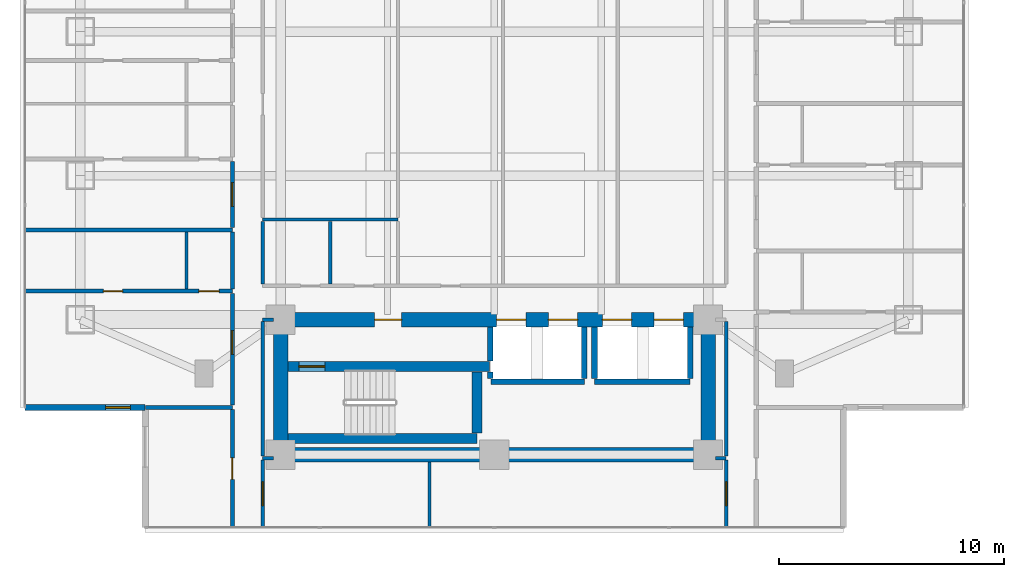
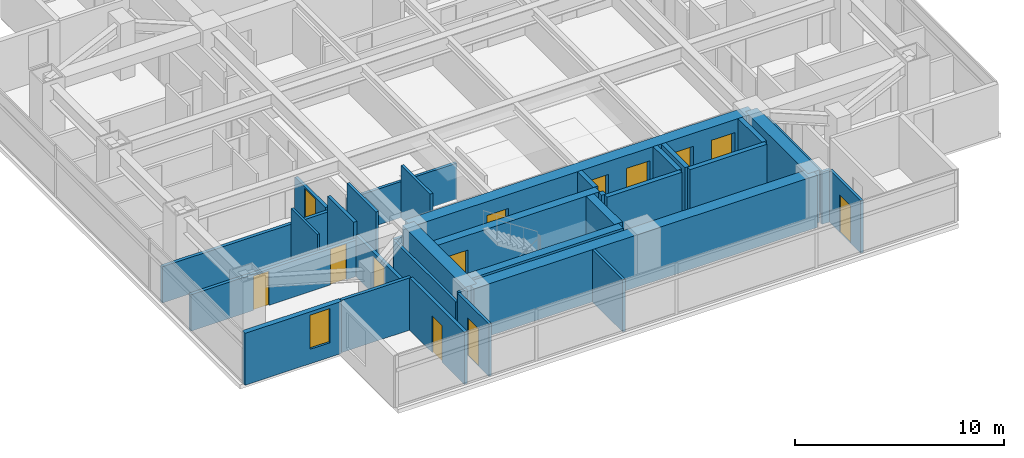
# One storey, part 13 of 27: 34 walls, 13 doors, 1 window, 14 openings.
"""IFC4 building model written with IfcOpenShell, lengths in metres."""

from ifc_helpers import new_model, si_unit, direction, frame, frame_2d, origin, place, context, subcontext, project, spatial, rectangle, extrude, material, layer, layer_set, type_object, element, fill, save


model = new_model("IFC4")

# Units and contexts
model_context = context("Model", 3, precision=1e-05, world=origin(), true_north=direction((0.0, 1.0)))
body_context = subcontext(model_context, "Body", "Model", "MODEL_VIEW")
ifc_project = project(units=[si_unit("LENGTHUNIT", "METRE"), si_unit("AREAUNIT", "SQUARE_METRE"), si_unit("VOLUMEUNIT", "CUBIC_METRE"), si_unit("PLANEANGLEUNIT", "RADIAN"), si_unit("MASSUNIT", "GRAM", prefix="KILO")], contexts=[model_context])

# Site, building, storey
site_placement = place(None, origin())
site = spatial("IfcSite", under=ifc_project, at=site_placement, CompositionType="ELEMENT")
building_placement = place(site_placement, origin())
building = spatial("IfcBuilding", under=site, at=building_placement, Name="Mirazonda Arch Towers", CompositionType="ELEMENT")
storey_placement = place(building_placement, frame((0.0, 0.0, 55.39990234375)))
storey = spatial("IfcBuildingStorey", under=building, at=storey_placement, Name="L15", CompositionType="ELEMENT", Elevation=55.39990234375)

# Wall
ifc_material_1 = material(Name="Concrete C50/60", Category="concrete")
ifc_layer_1 = layer(ifc_material_1, 0.449951171875, Name="WALL-CORE-450")
ifc_layer_set_1 = layer_set([ifc_layer_1], Name="Concrete C50/60")
wall_type_1 = type_object("IfcWallType", Name="WALL-CORE-450", PredefinedType="SHEAR", material=ifc_layer_set_1)
wall_1_placement = place(storey_placement, frame((11.320068359375, 13.1201171875, 0.0), z_axis=(0.0, 0.0, 1.0), x_axis=(1.0, 0.0, 0.0)))
element("IfcWall", 1, at=wall_1_placement, inside=storey, type_object=wall_type_1, Name="L15 Stair Core Shear Wall 003", PredefinedType="SHEAR", context=body_context, shape_type="SweptSolid", body=[
    extrude(rectangle(XDim=8.409912109375, YDim=0.449951171875, at=frame_2d((4.205078125, 0.0))), origin(), (0.0, 0.0, 1.0), 3.06005859375),
])

# Wall, opening, door
wall_2_placement = place(storey_placement, frame((11.320068359375, 16.320068359375, 0.0), z_axis=(0.0, 0.0, 1.0), x_axis=(1.0, 0.0, 0.0)))
wall_2 = element("IfcWall", 2, at=wall_2_placement, inside=storey, type_object=wall_type_1, Name="L15 Stair Core Shear Wall 008", PredefinedType="SHEAR", context=body_context, shape_type="SweptSolid", body=[
    extrude(rectangle(XDim=8.9599609375, YDim=0.449951171875, at=frame_2d((4.47998046875, 0.0))), origin(), (0.0, 0.0, 1.0), 3.06005859375),
])
opening_1_placement = place(wall_2_placement, frame((0.4951171875, 0.0, 0.0)))
opening_1 = element("IfcOpeningElement", 3, at=opening_1_placement, cuts=wall_2, Name="Opening DR-135", PredefinedType="OPENING", context=body_context, shape_type="SweptSolid", body=[
    extrude(rectangle(XDim=1.14990234375, YDim=2.199951171875, at=frame_2d((0.574951171875, 1.10009765625))), frame((0.0, 0.23486328125, 0.0), z_axis=(0.0, -1.0, 0.0), x_axis=(1.0, 0.0, 0.0)), (0.0, 0.0, 1.0), 0.469970703125),
])
ifc_material_2 = material(Name="Architectural Brushed Steel S355", Category="steel")
door_type_1 = type_object("IfcDoorType", Name="DOOR-STAIR-FD90-1150", OperationType="NOTDEFINED", PredefinedType="DOOR", material=ifc_material_2)
door_1_placement = place(opening_1_placement, origin())
door_1 = element("IfcDoor", 4, at=door_1_placement, inside=storey, type_object=door_type_1, Name="L15 Protected Exit Stair South Door", OperationType="SINGLE_SWING_LEFT", OverallHeight=2.199951171875, OverallWidth=1.14990234375, PredefinedType="DOOR", context=body_context, shape_type="SweptSolid", body=[
    extrude(rectangle(XDim=1.14990234375, YDim=2.199951171875, at=frame_2d((0.574951171875, 1.10009765625))), frame((0.0, 0.02490234375, 0.0), z_axis=(0.0, -1.0, 0.0), x_axis=(1.0, 0.0, 0.0)), (0.0, 0.0, 1.0), 0.050048828125),
])
fill(opening_1, door_1)

# Walls
wall_3_placement = place(storey_placement, frame((19.72998046875, 13.35498046875, 0.0), z_axis=(0.0, 0.0, 1.0), x_axis=(0.0, 1.0, 0.0)))
element("IfcWall", 5, at=wall_3_placement, inside=storey, type_object=wall_type_1, Name="L15 Stair Core Shear Wall 091", PredefinedType="SHEAR", context=body_context, shape_type="SweptSolid", body=[
    extrude(rectangle(XDim=2.72998046875, YDim=0.449951171875, at=frame_2d((1.364990234375, 0.0))), origin(), (0.0, 0.0, 1.0), 3.06005859375),
])
ifc_material_3 = material(Name="Concrete C60/75", Category="concrete")
ifc_layer_2 = layer(ifc_material_3, 0.64990234375, Name="WALL-CORE-650")
ifc_layer_set_2 = layer_set([ifc_layer_2], Name="Concrete C60/75")
wall_type_2 = type_object("IfcWallType", Name="WALL-CORE-650", PredefinedType="SHEAR", material=ifc_layer_set_2)
wall_4_placement = place(storey_placement, frame((11.0, 12.39990234375, 0.0), z_axis=(0.0, 0.0, 1.0), x_axis=(1.0, 0.0, 0.0)))
element("IfcWall", 6, at=wall_4_placement, inside=storey, type_object=wall_type_2, Name="L15 T1S-S Core Shear Wall", PredefinedType="SHEAR", context=body_context, shape_type="SweptSolid", body=[
    extrude(rectangle(XDim=19.0, YDim=0.64990234375, at=frame_2d((9.5, 0.0))), origin(), (0.0, 0.0, 1.0), 3.06005859375),
])
for number, where, z_axis, x_axis, name in (
    (7, (11.0, 12.39990234375, 0.0), (0.0, 0.0, 1.0), (0.0, 1.0, 0.0), "L15 T1S-W Core Shear Wall"),
    (8, (30.0, 12.39990234375, 0.0), (0.0, 0.0, 1.0), (0.0, 1.0, 0.0), "L15 T1S-E Core Shear Wall"),
):
    element("IfcWall", number, at=place(storey_placement, frame(where, z_axis=z_axis, x_axis=x_axis)), inside=storey, type_object=wall_type_2, Name=name, PredefinedType="SHEAR", context=body_context, shape_type="SweptSolid", body=[
        extrude(rectangle(XDim=6.0, YDim=0.64990234375, at=frame_2d((3.0, 0.0))), origin(), (0.0, 0.0, 1.0), 3.06005859375),
    ])

# Wall, openings, doors
wall_5_placement = place(storey_placement, frame((11.0, 18.39990234375, 0.0), z_axis=(0.0, 0.0, 1.0), x_axis=(1.0, 0.0, 0.0)))
wall_5 = element("IfcWall", 9, at=wall_5_placement, inside=storey, type_object=wall_type_2, Name="L15 T1S-N Core Shear Wall", PredefinedType="SHEAR", context=body_context, shape_type="SweptSolid", body=[
    extrude(rectangle(XDim=19.0, YDim=0.64990234375, at=frame_2d((9.5, 0.0))), origin(), (0.0, 0.0, 1.0), 3.06005859375),
])
opening_2_placement = place(wall_5_placement, frame((4.175048828125, 0.0, 0.0)))
opening_2 = element("IfcOpeningElement", 10, at=opening_2_placement, cuts=wall_5, Name="Opening DR-117", PredefinedType="OPENING", context=body_context, shape_type="SweptSolid", body=[
    extrude(rectangle(XDim=1.199951171875, YDim=2.25, at=frame_2d((0.60009765625, 1.125))), frame((0.0, 0.3349609375, 0.0), z_axis=(0.0, -1.0, 0.0), x_axis=(1.0, 0.0, 0.0)), (0.0, 0.0, 1.0), 0.669921875),
])
opening_3_placement = place(wall_5_placement, frame((9.60009765625, 0.0, 0.0)))
opening_3 = element("IfcOpeningElement", 11, at=opening_3_placement, cuts=wall_5, Name="Opening LD-111", PredefinedType="OPENING", context=body_context, shape_type="SweptSolid", body=[
    extrude(rectangle(XDim=1.300048828125, YDim=2.300048828125, at=frame_2d((0.64990234375, 1.14990234375))), frame((0.0, 0.3349609375, 0.0), z_axis=(0.0, -1.0, 0.0), x_axis=(1.0, 0.0, 0.0)), (0.0, 0.0, 1.0), 0.669921875),
])
opening_4_placement = place(wall_5_placement, frame((11.89990234375, 0.0, 0.0)))
opening_4 = element("IfcOpeningElement", 12, at=opening_4_placement, cuts=wall_5, Name="Opening LD-111", PredefinedType="OPENING", context=body_context, shape_type="SweptSolid", body=[
    extrude(rectangle(XDim=1.300048828125, YDim=2.300048828125, at=frame_2d((0.64990234375, 1.14990234375))), frame((0.0, 0.3349609375, 0.0), z_axis=(0.0, -1.0, 0.0), x_axis=(1.0, 0.0, 0.0)), (0.0, 0.0, 1.0), 0.669921875),
])
opening_5_placement = place(wall_5_placement, frame((14.300048828125, 0.0, 0.0)))
opening_5 = element("IfcOpeningElement", 13, at=opening_5_placement, cuts=wall_5, Name="Opening LD-111", PredefinedType="OPENING", context=body_context, shape_type="SweptSolid", body=[
    extrude(rectangle(XDim=1.300048828125, YDim=2.300048828125, at=frame_2d((0.64990234375, 1.14990234375))), frame((0.0, 0.3349609375, 0.0), z_axis=(0.0, -1.0, 0.0), x_axis=(1.0, 0.0, 0.0)), (0.0, 0.0, 1.0), 0.669921875),
])
opening_6_placement = place(wall_5_placement, frame((16.60009765625, 0.0, 0.0)))
opening_6 = element("IfcOpeningElement", 14, at=opening_6_placement, cuts=wall_5, Name="Opening LD-111", PredefinedType="OPENING", context=body_context, shape_type="SweptSolid", body=[
    extrude(rectangle(XDim=1.300048828125, YDim=2.300048828125, at=frame_2d((0.64990234375, 1.14990234375))), frame((0.0, 0.3349609375, 0.0), z_axis=(0.0, -1.0, 0.0), x_axis=(1.0, 0.0, 0.0)), (0.0, 0.0, 1.0), 0.669921875),
])
door_type_2 = type_object("IfcDoorType", Name="DOOR-FFL-FD90-1200", OperationType="NOTDEFINED", PredefinedType="DOOR", material=ifc_material_2)
door_2_placement = place(opening_2_placement, origin())
door_2 = element("IfcDoor", 15, at=door_2_placement, inside=storey, type_object=door_type_2, Name="L15 South Core Stair & Lift Lobby Door", OperationType="SINGLE_SWING_RIGHT", OverallHeight=2.25, OverallWidth=1.199951171875, PredefinedType="DOOR", context=body_context, shape_type="SweptSolid", body=[
    extrude(rectangle(XDim=1.199951171875, YDim=2.25, at=frame_2d((0.60009765625, 1.125))), frame((0.0, 0.02490234375, 0.0), z_axis=(0.0, -1.0, 0.0), x_axis=(1.0, 0.0, 0.0)), (0.0, 0.0, 1.0), 0.050048828125),
])
fill(opening_2, door_2)
door_type_3 = type_object("IfcDoorType", Name="DOOR-LIFT-LAND-1300", OperationType="NOTDEFINED", PredefinedType="DOOR", material=ifc_material_2)
door_3_placement = place(opening_3_placement, origin())
door_3 = element("IfcDoor", 16, at=door_3_placement, inside=storey, type_object=door_type_3, Name="L15 Lift Landing Sliding Door PL-T1M1", OperationType="DOUBLE_DOOR_SLIDING", OverallHeight=2.300048828125, OverallWidth=1.300048828125, PredefinedType="DOOR", context=body_context, shape_type="SweptSolid", body=[
    extrude(rectangle(XDim=1.300048828125, YDim=2.300048828125, at=frame_2d((0.64990234375, 1.14990234375))), frame((0.0, 0.02490234375, 0.0), z_axis=(0.0, -1.0, 0.0), x_axis=(1.0, 0.0, 0.0)), (0.0, 0.0, 1.0), 0.050048828125),
])
fill(opening_3, door_3)
door_4_placement = place(opening_4_placement, origin())
door_4 = element("IfcDoor", 17, at=door_4_placement, inside=storey, type_object=door_type_3, Name="L15 Lift Landing Sliding Door PL-T1M2", OperationType="DOUBLE_DOOR_SLIDING", OverallHeight=2.300048828125, OverallWidth=1.300048828125, PredefinedType="DOOR", context=body_context, shape_type="SweptSolid", body=[
    extrude(rectangle(XDim=1.300048828125, YDim=2.300048828125, at=frame_2d((0.64990234375, 1.14990234375))), frame((0.0, 0.02490234375, 0.0), z_axis=(0.0, -1.0, 0.0), x_axis=(1.0, 0.0, 0.0)), (0.0, 0.0, 1.0), 0.050048828125),
])
fill(opening_4, door_4)
door_5_placement = place(opening_5_placement, origin())
door_5 = element("IfcDoor", 18, at=door_5_placement, inside=storey, type_object=door_type_3, Name="L15 Lift Landing Sliding Door PL-T1H1", OperationType="DOUBLE_DOOR_SLIDING", OverallHeight=2.300048828125, OverallWidth=1.300048828125, PredefinedType="DOOR", context=body_context, shape_type="SweptSolid", body=[
    extrude(rectangle(XDim=1.300048828125, YDim=2.300048828125, at=frame_2d((0.64990234375, 1.14990234375))), frame((0.0, 0.02490234375, 0.0), z_axis=(0.0, -1.0, 0.0), x_axis=(1.0, 0.0, 0.0)), (0.0, 0.0, 1.0), 0.050048828125),
])
fill(opening_5, door_5)
door_6_placement = place(opening_6_placement, origin())
door_6 = element("IfcDoor", 19, at=door_6_placement, inside=storey, type_object=door_type_3, Name="L15 Lift Landing Sliding Door PL-T1H2", OperationType="DOUBLE_DOOR_SLIDING", OverallHeight=2.300048828125, OverallWidth=1.300048828125, PredefinedType="DOOR", context=body_context, shape_type="SweptSolid", body=[
    extrude(rectangle(XDim=1.300048828125, YDim=2.300048828125, at=frame_2d((0.64990234375, 1.14990234375))), frame((0.0, 0.02490234375, 0.0), z_axis=(0.0, -1.0, 0.0), x_axis=(1.0, 0.0, 0.0)), (0.0, 0.0, 1.0), 0.050048828125),
])
fill(opening_6, door_6)

# Wall, opening, window
ifc_material_4 = material(Name="Precast Concrete C40/50", Category="concrete")
ifc_layer_3 = layer(ifc_material_4, 0.280029296875, Name="WALL-EXT-WALL-280")
ifc_layer_set_3 = layer_set([ifc_layer_3], Name="Precast Concrete C40/50")
wall_type_3 = type_object("IfcWallType", Name="WALL-EXT-WALL-280", PredefinedType="SOLIDWALL", material=ifc_layer_set_3)
wall_6_placement = place(storey_placement, frame((-0.360107421875, 14.501953125, 0.0), z_axis=(0.0, 0.0, 1.0), x_axis=(1.0, 0.0, 0.0)))
wall_6 = element("IfcWall", 20, at=wall_6_placement, inside=storey, type_object=wall_type_3, Name="L15 T1 Corner Notch Return Wall WL-L15-T1-CSW2", PredefinedType="SOLIDWALL", context=body_context, shape_type="SweptSolid", body=[
    extrude(rectangle(XDim=5.340087890625, YDim=0.280029296875, at=frame_2d((2.669921875, 0.0))), origin(), (0.0, 0.0, 1.0), 3.0400390625),
])
opening_7_placement = place(wall_6_placement, frame((3.590087890625, 0.0, 0.85009765625)))
opening_7 = element("IfcOpeningElement", 21, at=opening_7_placement, cuts=wall_6, Name="Opening WN-108", PredefinedType="OPENING", context=body_context, shape_type="SweptSolid", body=[
    extrude(rectangle(XDim=1.10009765625, YDim=2.0, at=frame_2d((0.550048828125, 1.0))), frame((0.0, 0.14990234375, 0.0), z_axis=(0.0, -1.0, 0.0), x_axis=(1.0, 0.0, 0.0)), (0.0, 0.0, 1.0), 0.300048828125),
])
ifc_material_5 = material(Name="Insulated Low-E Solar Glass", Category="glass")
window_type = type_object("IfcWindowType", Name="WIN-NOTCH-1100x2000", PartitioningType="SINGLE_PANEL", PredefinedType="WINDOW", material=ifc_material_5)
window_placement = place(opening_7_placement, origin())
window = element("IfcWindow", 22, at=window_placement, inside=storey, type_object=window_type, Name="L15 Punched Facade Window WN-L15-T1-CSW2", OverallHeight=2.0, OverallWidth=1.10009765625, PartitioningType="SINGLE_PANEL", PredefinedType="WINDOW", context=body_context, shape_type="SweptSolid", body=[
    extrude(rectangle(XDim=1.10009765625, YDim=2.0, at=frame_2d((0.550048828125, 1.0))), frame((0.0, 0.030029296875, 0.0), z_axis=(0.0, -1.0, 0.0), x_axis=(1.0, 0.0, 0.0)), (0.0, 0.0, 1.0), 0.06005859375),
])
fill(opening_7, window)

# Walls
ifc_material_6 = material(Name="Fire-Rated Gypsum Stud Partition")
ifc_layer_4 = layer(ifc_material_6, 0.14990234375, Name="WALL-PART-CORR-150")
ifc_layer_set_4 = layer_set([ifc_layer_4], Name="Fire-Rated Gypsum Stud Partition")
wall_type_4 = type_object("IfcWallType", Name="WALL-PART-CORR-150", PredefinedType="PARTITIONING", material=ifc_layer_set_4)
for number, where, z_axis, x_axis, name in (
    (23, (10.199951171875, 12.25, 0.0), (0.0, 0.0, 1.0), (1.0, 0.0, 0.0), "L15 Interior Partition 001"),
    (24, (30.320068359375, 12.25, 0.0), (0.0, 0.0, 1.0), (1.0, 0.0, 0.0), "L15 Interior Partition 002"),
):
    element("IfcWall", number, at=place(storey_placement, frame(where, z_axis=z_axis, x_axis=x_axis)), inside=storey, type_object=wall_type_4, Name=name, PredefinedType="PARTITIONING", context=body_context, shape_type="SweptSolid", body=[
        extrude(rectangle(XDim=0.47998046875, YDim=0.14990234375, at=frame_2d((0.239990234375, 0.0))), origin(), (0.0, 0.0, 1.0), 3.06005859375),
    ])
wall_7_placement = place(storey_placement, frame((10.199951171875, 18.39990234375, 0.0), z_axis=(0.0, 0.0, 1.0), x_axis=(1.0, 0.0, 0.0)))
element("IfcWall", 25, at=wall_7_placement, inside=storey, type_object=wall_type_4, Name="L15 Interior Partition 012", PredefinedType="PARTITIONING", context=body_context, shape_type="SweptSolid", body=[
    extrude(rectangle(XDim=0.47998046875, YDim=0.14990234375, at=frame_2d((0.239990234375, 0.0))), origin(), (0.0, 0.0, 1.0), 2.43603515625),
])
wall_8_placement = place(storey_placement, frame((10.199951171875, 22.85009765625, 0.0), z_axis=(0.0, 0.0, 1.0), x_axis=(1.0, 0.0, 0.0)))
element("IfcWall", 26, at=wall_8_placement, inside=storey, type_object=wall_type_4, Name="L15 Interior Partition 025", PredefinedType="PARTITIONING", context=body_context, shape_type="SweptSolid", body=[
    extrude(rectangle(XDim=6.02001953125, YDim=0.14990234375, at=frame_2d((3.010009765625, 0.0))), origin(), (0.0, 0.0, 1.0), 2.10400390625),
])

# Wall, opening, door
wall_9_placement = place(storey_placement, frame((10.199951171875, 9.162109375, 0.0), z_axis=(0.0, 0.0, 1.0), x_axis=(0.0, 1.0, 0.0)))
wall_9 = element("IfcWall", 27, at=wall_9_placement, inside=storey, type_object=wall_type_4, Name="L15 Interior Partition 079", PredefinedType="PARTITIONING", context=body_context, shape_type="SweptSolid", body=[
    extrude(rectangle(XDim=3.0029296875, YDim=0.14990234375, at=frame_2d((1.50146484375, 0.0))), origin(), (0.0, 0.0, 1.0), 3.06005859375),
])
opening_8_placement = place(wall_9_placement, frame((0.9765625, 0.0, 0.0)))
opening_8 = element("IfcOpeningElement", 28, at=opening_8_placement, cuts=wall_9, Name="Opening DR-121", PredefinedType="OPENING", context=body_context, shape_type="SweptSolid", body=[
    extrude(rectangle(XDim=1.050048828125, YDim=2.199951171875, at=frame_2d((0.52490234375, 1.10009765625))), frame((0.0, 0.0849609375, 0.0), z_axis=(0.0, -1.0, 0.0), x_axis=(1.0, 0.0, 0.0)), (0.0, 0.0, 1.0), 0.169921875),
])
door_type_4 = type_object("IfcDoorType", Name="DOOR-SUITE-FD60-1050", OperationType="NOTDEFINED", PredefinedType="DOOR", material=ifc_material_2)
door_7_placement = place(opening_8_placement, origin())
door_7 = element("IfcDoor", 29, at=door_7_placement, inside=storey, type_object=door_type_4, Name="L15 South Horizon Lounge Minor Door", OperationType="SINGLE_SWING_RIGHT", OverallHeight=2.199951171875, OverallWidth=1.050048828125, PredefinedType="DOOR", context=body_context, shape_type="SweptSolid", body=[
    extrude(rectangle(XDim=1.050048828125, YDim=2.199951171875, at=frame_2d((0.52490234375, 1.10009765625))), frame((0.0, 0.02490234375, 0.0), z_axis=(0.0, -1.0, 0.0), x_axis=(1.0, 0.0, 0.0)), (0.0, 0.0, 1.0), 0.050048828125),
])
fill(opening_8, door_7)

# Walls
wall_10_placement = place(storey_placement, frame((10.199951171875, 12.3349609375, 0.0), z_axis=(0.0, 0.0, 1.0), x_axis=(0.0, 1.0, 0.0)))
element("IfcWall", 30, at=wall_10_placement, inside=storey, type_object=wall_type_4, Name="L15 Interior Partition 080", PredefinedType="PARTITIONING", context=body_context, shape_type="SweptSolid", body=[
    extrude(rectangle(XDim=5.97998046875, YDim=0.14990234375, at=frame_2d((2.989990234375, 0.0))), origin(), (0.0, 0.0, 1.0), 2.43603515625),
])
for number, where, z_axis, x_axis, name in (
    (31, (10.206787109375, 19.985107421875, 0.0), (0.0, 0.0, 1.0), (0.0, 1.0, 0.0), "L15 Interior Partition 081"),
    (32, (13.199951171875, 19.985107421875, 0.0), (0.0, 0.0, 1.0), (0.0, 1.0, 0.0), "L15 Interior Partition 086"),
):
    element("IfcWall", number, at=place(storey_placement, frame(where, z_axis=z_axis, x_axis=x_axis)), inside=storey, type_object=wall_type_4, Name=name, PredefinedType="PARTITIONING", context=body_context, shape_type="SweptSolid", body=[
        extrude(rectangle(XDim=2.77978515625, YDim=0.14990234375, at=frame_2d((1.389892578125, 0.0))), origin(), (0.0, 0.0, 1.0), 3.06005859375),
    ])
wall_11_placement = place(storey_placement, frame((17.615966796875, 9.162109375, 0.0), z_axis=(0.0, 0.0, 1.0), x_axis=(0.0, 1.0, 0.0)))
element("IfcWall", 33, at=wall_11_placement, inside=storey, type_object=wall_type_4, Name="L15 Interior Partition 090", PredefinedType="PARTITIONING", context=body_context, shape_type="SweptSolid", body=[
    extrude(rectangle(XDim=2.91796875, YDim=0.14990234375, at=frame_2d((1.458984375, 0.0))), origin(), (0.0, 0.0, 1.0), 3.06005859375),
])

# Wall, opening, door
wall_12_placement = place(storey_placement, frame((30.800048828125, 9.162109375, 0.0), z_axis=(0.0, 0.0, 1.0), x_axis=(0.0, 1.0, 0.0)))
wall_12 = element("IfcWall", 34, at=wall_12_placement, inside=storey, type_object=wall_type_4, Name="L15 Interior Partition 106", PredefinedType="PARTITIONING", context=body_context, shape_type="SweptSolid", body=[
    extrude(rectangle(XDim=3.0029296875, YDim=0.14990234375, at=frame_2d((1.50146484375, 0.0))), origin(), (0.0, 0.0, 1.0), 3.06005859375),
])
opening_9_placement = place(wall_12_placement, frame((0.9765625, 0.0, 0.0)))
opening_9 = element("IfcOpeningElement", 35, at=opening_9_placement, cuts=wall_12, Name="Opening DR-121", PredefinedType="OPENING", context=body_context, shape_type="SweptSolid", body=[
    extrude(rectangle(XDim=1.050048828125, YDim=2.199951171875, at=frame_2d((0.52490234375, 1.10009765625))), frame((0.0, 0.0849609375, 0.0), z_axis=(0.0, -1.0, 0.0), x_axis=(1.0, 0.0, 0.0)), (0.0, 0.0, 1.0), 0.169921875),
])
door_8_placement = place(opening_9_placement, origin())
door_8 = element("IfcDoor", 36, at=door_8_placement, inside=storey, type_object=door_type_4, Name="L15 South Horizon Lounge Grand Door", OperationType="SINGLE_SWING_LEFT", OverallHeight=2.199951171875, OverallWidth=1.050048828125, PredefinedType="DOOR", context=body_context, shape_type="SweptSolid", body=[
    extrude(rectangle(XDim=1.050048828125, YDim=2.199951171875, at=frame_2d((0.52490234375, 1.10009765625))), frame((0.0, 0.02490234375, 0.0), z_axis=(0.0, -1.0, 0.0), x_axis=(1.0, 0.0, 0.0)), (0.0, 0.0, 1.0), 0.050048828125),
])
fill(opening_9, door_8)

# Walls
wall_13_placement = place(storey_placement, frame((30.800048828125, 12.3349609375, 0.0), z_axis=(0.0, 0.0, 1.0), x_axis=(0.0, 1.0, 0.0)))
element("IfcWall", 37, at=wall_13_placement, inside=storey, type_object=wall_type_4, Name="L15 Interior Partition 107", PredefinedType="PARTITIONING", context=body_context, shape_type="SweptSolid", body=[
    extrude(rectangle(XDim=5.97998046875, YDim=0.14990234375, at=frame_2d((2.989990234375, 0.0))), origin(), (0.0, 0.0, 1.0), 2.43603515625),
])
ifc_material_7 = material(Name="Fire-Rated Gypsum Twin-Stud Assembly")
ifc_layer_5 = layer(ifc_material_7, 0.179931640625, Name="WALL-PART-DEMISE-180")
ifc_layer_set_5 = layer_set([ifc_layer_5], Name="Fire-Rated Gypsum Twin-Stud Assembly")
wall_type_5 = type_object("IfcWallType", Name="WALL-PART-DEMISE-180", PredefinedType="PARTITIONING", material=ifc_layer_set_5)
wall_14_placement = place(storey_placement, frame((5.0, 14.501953125, 0.0), z_axis=(0.0, 0.0, 1.0), x_axis=(1.0, 0.0, 0.0)))
element("IfcWall", 38, at=wall_14_placement, inside=storey, type_object=wall_type_5, Name="L15 Interior Partition 004", PredefinedType="PARTITIONING", context=body_context, shape_type="SweptSolid", body=[
    extrude(rectangle(XDim=3.860107421875, YDim=0.179931640625, at=frame_2d((1.93017578125, 0.0))), origin(), (0.0, 0.0, 1.0), 3.06005859375),
])

# Wall, openings, doors
wall_15_placement = place(storey_placement, frame((-0.360107421875, 19.6708984375, 0.0), z_axis=(0.0, 0.0, 1.0), x_axis=(1.0, 0.0, 0.0)))
wall_15 = element("IfcWall", 39, at=wall_15_placement, inside=storey, type_object=wall_type_5, Name="L15 Interior Partition 016", PredefinedType="PARTITIONING", context=body_context, shape_type="SweptSolid", body=[
    extrude(rectangle(XDim=9.22021484375, YDim=0.179931640625, at=frame_2d((4.610107421875, 0.0))), origin(), (0.0, 0.0, 1.0), 2.125),
])
opening_10_placement = place(wall_15_placement, frame((3.485107421875, 0.0, 0.0)))
opening_10 = element("IfcOpeningElement", 40, at=opening_10_placement, cuts=wall_15, Name="Opening DR-128", PredefinedType="OPENING", context=body_context, shape_type="SweptSolid", body=[
    extrude(rectangle(XDim=0.85009765625, YDim=2.010009765625, at=frame_2d((0.425048828125, 1.0048828125))), frame((0.0, 0.099853515625, 0.0), z_axis=(0.0, -1.0, 0.0), x_axis=(1.0, 0.0, 0.0)), (0.0, 0.0, 1.0), 0.199951171875),
])
opening_11_placement = place(wall_15_placement, frame((7.72998046875, 0.0, 0.0)))
opening_11 = element("IfcOpeningElement", 41, at=opening_11_placement, cuts=wall_15, Name="Opening DR-120", PredefinedType="OPENING", context=body_context, shape_type="SweptSolid", body=[
    extrude(rectangle(XDim=0.89990234375, YDim=2.10009765625, at=frame_2d((0.449951171875, 1.050048828125))), frame((0.0, 0.099853515625, 0.0), z_axis=(0.0, -1.0, 0.0), x_axis=(1.0, 0.0, 0.0)), (0.0, 0.0, 1.0), 0.199951171875),
])
door_type_5 = type_object("IfcDoorType", Name="DOOR-RISER-FD60-850", OperationType="NOTDEFINED", PredefinedType="DOOR", material=ifc_material_2)
door_9_placement = place(opening_10_placement, origin())
door_9 = element("IfcDoor", 42, at=door_9_placement, inside=storey, type_object=door_type_5, Name="L15 Guestroom Study 1 Door", OperationType="SINGLE_SWING_RIGHT", OverallHeight=2.010009765625, OverallWidth=0.85009765625, PredefinedType="DOOR", context=body_context, shape_type="SweptSolid", body=[
    extrude(rectangle(XDim=0.85009765625, YDim=2.010009765625, at=frame_2d((0.425048828125, 1.0048828125))), frame((0.0, 0.02490234375, 0.0), z_axis=(0.0, -1.0, 0.0), x_axis=(1.0, 0.0, 0.0)), (0.0, 0.0, 1.0), 0.050048828125),
])
fill(opening_10, door_9)
door_type_6 = type_object("IfcDoorType", Name="DOOR-WC-900", OperationType="NOTDEFINED", PredefinedType="DOOR", material=ifc_material_2)
door_10_placement = place(opening_11_placement, origin())
door_10 = element("IfcDoor", 43, at=door_10_placement, inside=storey, type_object=door_type_6, Name="L15 En-Suite Bathroom 1 Door", OperationType="SINGLE_SWING_LEFT", OverallHeight=2.10009765625, OverallWidth=0.89990234375, PredefinedType="DOOR", context=body_context, shape_type="SweptSolid", body=[
    extrude(rectangle(XDim=0.89990234375, YDim=2.10009765625, at=frame_2d((0.449951171875, 1.050048828125))), frame((0.0, 0.02490234375, 0.0), z_axis=(0.0, -1.0, 0.0), x_axis=(1.0, 0.0, 0.0)), (0.0, 0.0, 1.0), 0.050048828125),
])
fill(opening_11, door_10)

# Wall
wall_16_placement = place(storey_placement, frame((-0.360107421875, 22.39111328125, 0.0), z_axis=(0.0, 0.0, 1.0), x_axis=(1.0, 0.0, 0.0)))
element("IfcWall", 44, at=wall_16_placement, inside=storey, type_object=wall_type_5, Name="L15 Interior Partition 023", PredefinedType="PARTITIONING", context=body_context, shape_type="SweptSolid", body=[
    extrude(rectangle(XDim=9.22021484375, YDim=0.179931640625, at=frame_2d((4.610107421875, 0.0))), origin(), (0.0, 0.0, 1.0), 2.125),
])

# Wall, opening, door
wall_17_placement = place(storey_placement, frame((8.860107421875, 9.162109375, 0.0), z_axis=(0.0, 0.0, 1.0), x_axis=(0.0, 1.0, 0.0)))
wall_17 = element("IfcWall", 45, at=wall_17_placement, inside=storey, type_object=wall_type_5, Name="L15 Interior Partition 069", PredefinedType="PARTITIONING", context=body_context, shape_type="SweptSolid", body=[
    extrude(rectangle(XDim=5.239990234375, YDim=0.179931640625, at=frame_2d((2.6201171875, 0.0))), origin(), (0.0, 0.0, 1.0), 3.06005859375),
])
opening_12_placement = place(wall_17_placement, frame((2.14501953125, 0.0, 0.0)))
opening_12 = element("IfcOpeningElement", 46, at=opening_12_placement, cuts=wall_17, Name="Opening DR-104", PredefinedType="OPENING", context=body_context, shape_type="SweptSolid", body=[
    extrude(rectangle(XDim=0.949951171875, YDim=2.14990234375, at=frame_2d((0.47509765625, 1.074951171875))), frame((0.0, 0.099853515625, 0.0), z_axis=(0.0, -1.0, 0.0), x_axis=(1.0, 0.0, 0.0)), (0.0, 0.0, 1.0), 0.199951171875),
])
door_type_7 = type_object("IfcDoorType", Name="DOOR-ROOM-950", OperationType="NOTDEFINED", PredefinedType="DOOR", material=ifc_material_2)
door_11_placement = place(opening_12_placement, origin())
door_11 = element("IfcDoor", 47, at=door_11_placement, inside=storey, type_object=door_type_7, Name="L15 South Horizon Lounge Alcove West Door", OperationType="SINGLE_SWING_RIGHT", OverallHeight=2.14990234375, OverallWidth=0.949951171875, PredefinedType="DOOR", context=body_context, shape_type="SweptSolid", body=[
    extrude(rectangle(XDim=0.949951171875, YDim=2.14990234375, at=frame_2d((0.47509765625, 1.074951171875))), frame((0.0, 0.02490234375, 0.0), z_axis=(0.0, -1.0, 0.0), x_axis=(1.0, 0.0, 0.0)), (0.0, 0.0, 1.0), 0.050048828125),
])
fill(opening_12, door_11)

wall_18_placement = place(storey_placement, frame((8.860107421875, 14.60205078125, 0.0), z_axis=(0.0, 0.0, 1.0), x_axis=(0.0, 1.0, 0.0)))
wall_18 = element("IfcWall", 48, at=wall_18_placement, inside=storey, type_object=wall_type_5, Name="L15 Interior Partition 070", PredefinedType="PARTITIONING", context=body_context, shape_type="SweptSolid", body=[
    extrude(rectangle(XDim=4.968994140625, YDim=0.179931640625, at=frame_2d((2.484375, 0.0))), origin(), (0.0, 0.0, 1.0), 2.43603515625),
])
opening_13_placement = place(wall_18_placement, frame((2.259521484375, 0.0, 0.0)))
opening_13 = element("IfcOpeningElement", 49, at=opening_13_placement, cuts=wall_18, Name="Opening DR-121", PredefinedType="OPENING", context=body_context, shape_type="SweptSolid", body=[
    extrude(rectangle(XDim=1.050048828125, YDim=2.199951171875, at=frame_2d((0.52490234375, 1.10009765625))), frame((0.0, 0.099853515625, 0.0), z_axis=(0.0, -1.0, 0.0), x_axis=(1.0, 0.0, 0.0)), (0.0, 0.0, 1.0), 0.199951171875),
])
door_12_placement = place(opening_13_placement, origin())
door_12 = element("IfcDoor", 50, at=door_12_placement, inside=storey, type_object=door_type_4, Name="L15 King Hotel Guestroom 1 Door", OperationType="SINGLE_SWING_LEFT", OverallHeight=2.199951171875, OverallWidth=1.050048828125, PredefinedType="DOOR", context=body_context, shape_type="SweptSolid", body=[
    extrude(rectangle(XDim=1.050048828125, YDim=2.199951171875, at=frame_2d((0.52490234375, 1.10009765625))), frame((0.0, 0.02490234375, 0.0), z_axis=(0.0, -1.0, 0.0), x_axis=(1.0, 0.0, 0.0)), (0.0, 0.0, 1.0), 0.050048828125),
])
fill(opening_13, door_12)

# Wall
wall_19_placement = place(storey_placement, frame((8.860107421875, 19.77099609375, 0.0), z_axis=(0.0, 0.0, 1.0), x_axis=(0.0, 1.0, 0.0)))
element("IfcWall", 51, at=wall_19_placement, inside=storey, type_object=wall_type_5, Name="L15 Interior Partition 071", PredefinedType="PARTITIONING", context=body_context, shape_type="SweptSolid", body=[
    extrude(rectangle(XDim=2.52001953125, YDim=0.179931640625, at=frame_2d((1.260009765625, 0.0))), origin(), (0.0, 0.0, 1.0), 3.06005859375),
])

# Wall, opening, door
wall_20_placement = place(storey_placement, frame((8.860107421875, 22.490966796875, 0.0), z_axis=(0.0, 0.0, 1.0), x_axis=(0.0, 1.0, 0.0)))
wall_20 = element("IfcWall", 52, at=wall_20_placement, inside=storey, type_object=wall_type_5, Name="L15 Interior Partition 072", PredefinedType="PARTITIONING", context=body_context, shape_type="SweptSolid", body=[
    extrude(rectangle(XDim=2.93994140625, YDim=0.179931640625, at=frame_2d((1.469970703125, 0.0))), origin(), (0.0, 0.0, 1.0), 2.279052734375),
])
opening_14_placement = place(wall_20_placement, frame((0.945068359375, 0.0, 0.0)))
opening_14 = element("IfcOpeningElement", 53, at=opening_14_placement, cuts=wall_20, Name="Opening DR-121", PredefinedType="OPENING", context=body_context, shape_type="SweptSolid", body=[
    extrude(rectangle(XDim=1.050048828125, YDim=2.199951171875, at=frame_2d((0.52490234375, 1.10009765625))), frame((0.0, 0.099853515625, 0.0), z_axis=(0.0, -1.0, 0.0), x_axis=(1.0, 0.0, 0.0)), (0.0, 0.0, 1.0), 0.199951171875),
])
door_13_placement = place(opening_14_placement, origin())
door_13 = element("IfcDoor", 54, at=door_13_placement, inside=storey, type_object=door_type_4, Name="L15 Twin Hotel Guestroom 2 Door", OperationType="SINGLE_SWING_RIGHT", OverallHeight=2.199951171875, OverallWidth=1.050048828125, PredefinedType="DOOR", context=body_context, shape_type="SweptSolid", body=[
    extrude(rectangle(XDim=1.050048828125, YDim=2.199951171875, at=frame_2d((0.52490234375, 1.10009765625))), frame((0.0, 0.02490234375, 0.0), z_axis=(0.0, -1.0, 0.0), x_axis=(1.0, 0.0, 0.0)), (0.0, 0.0, 1.0), 0.050048828125),
])
fill(opening_14, door_13)

# Walls
ifc_material_8 = material(Name="Acoustic Fire-Rated Gypsum Partition")
ifc_layer_6 = layer(ifc_material_8, 0.125, Name="WALL-PART-UNIT-125")
ifc_layer_set_6 = layer_set([ifc_layer_6], Name="Acoustic Fire-Rated Gypsum Partition")
wall_type_6 = type_object("IfcWallType", Name="WALL-PART-UNIT-125", PredefinedType="PARTITIONING", material=ifc_layer_set_6)
wall_21_placement = place(storey_placement, frame((6.820068359375, 19.77099609375, 0.0), z_axis=(0.0, 0.0, 1.0), x_axis=(0.0, 1.0, 0.0)))
element("IfcWall", 55, at=wall_21_placement, inside=storey, type_object=wall_type_6, Name="L15 Interior Partition 065", PredefinedType="PARTITIONING", context=body_context, shape_type="SweptSolid", body=[
    extrude(rectangle(XDim=2.52001953125, YDim=0.125, at=frame_2d((1.260009765625, 0.0))), origin(), (0.0, 0.0, 1.0), 3.06005859375),
])
ifc_material_9 = material(Name="Concrete C40/50", Category="concrete")
ifc_layer_7 = layer(ifc_material_9, 0.25, Name="WALL-SHAFT-250")
ifc_layer_set_7 = layer_set([ifc_layer_7], Name="Concrete C40/50")
wall_type_7 = type_object("IfcWallType", Name="WALL-SHAFT-250", PredefinedType="SOLIDWALL", material=ifc_layer_set_7)
wall_22_placement = place(storey_placement, frame((20.35009765625, 15.64990234375, 0.0), z_axis=(0.0, 0.0, 1.0), x_axis=(1.0, 0.0, 0.0)))
element("IfcWall", 56, at=wall_22_placement, inside=storey, type_object=wall_type_7, Name="L15 Interior Partition 006", PredefinedType="SOLIDWALL", context=body_context, shape_type="SweptSolid", body=[
    extrude(rectangle(XDim=4.14990234375, YDim=0.25, at=frame_2d((2.074951171875, 0.0))), origin(), (0.0, 0.0, 1.0), 3.06005859375),
])
wall_23_placement = place(storey_placement, frame((24.949951171875, 15.64990234375, 0.0), z_axis=(0.0, 0.0, 1.0), x_axis=(1.0, 0.0, 0.0)))
element("IfcWall", 57, at=wall_23_placement, inside=storey, type_object=wall_type_7, Name="L15 Interior Partition 007", PredefinedType="SOLIDWALL", context=body_context, shape_type="SweptSolid", body=[
    extrude(rectangle(XDim=4.25, YDim=0.25, at=frame_2d((2.125, 0.0))), origin(), (0.0, 0.0, 1.0), 3.06005859375),
])
wall_24_placement = place(storey_placement, frame((20.31494140625, 15.784912109375, 0.0), z_axis=(0.0, 0.0, 1.0), x_axis=(0.0, 1.0, 0.0)))
element("IfcWall", 58, at=wall_24_placement, inside=storey, type_object=wall_type_7, Name="L15 Interior Partition 093", PredefinedType="SOLIDWALL", context=body_context, shape_type="SweptSolid", body=[
    extrude(rectangle(XDim=0.300048828125, YDim=0.25, at=frame_2d((0.14990234375, 0.0))), origin(), (0.0, 0.0, 1.0), 3.06005859375),
])
wall_25_placement = place(storey_placement, frame((20.31494140625, 16.554931640625, 0.0), z_axis=(0.0, 0.0, 1.0), x_axis=(0.0, 1.0, 0.0)))
element("IfcWall", 59, at=wall_25_placement, inside=storey, type_object=wall_type_7, Name="L15 Interior Partition 094", PredefinedType="SOLIDWALL", context=body_context, shape_type="SweptSolid", body=[
    extrude(rectangle(XDim=1.525146484375, YDim=0.25, at=frame_2d((0.7626953125, 0.0))), origin(), (0.0, 0.0, 1.0), 3.06005859375),
])
for number, where, z_axis, x_axis, name in (
    (60, (24.5, 15.784912109375, 0.0), (0.0, 0.0, 1.0), (0.0, 1.0, 0.0), "L15 Interior Partition 097"),
    (61, (24.949951171875, 15.784912109375, 0.0), (0.0, 0.0, 1.0), (0.0, 1.0, 0.0), "L15 Interior Partition 099"),
    (62, (29.199951171875, 15.784912109375, 0.0), (0.0, 0.0, 1.0), (0.0, 1.0, 0.0), "L15 Interior Partition 103"),
):
    element("IfcWall", number, at=place(storey_placement, frame(where, z_axis=z_axis, x_axis=x_axis)), inside=storey, type_object=wall_type_7, Name=name, PredefinedType="SOLIDWALL", context=body_context, shape_type="SweptSolid", body=[
        extrude(rectangle(XDim=2.295166015625, YDim=0.25, at=frame_2d((1.1474609375, 0.0))), origin(), (0.0, 0.0, 1.0), 3.06005859375),
    ])

save(model, "model.ifc")
